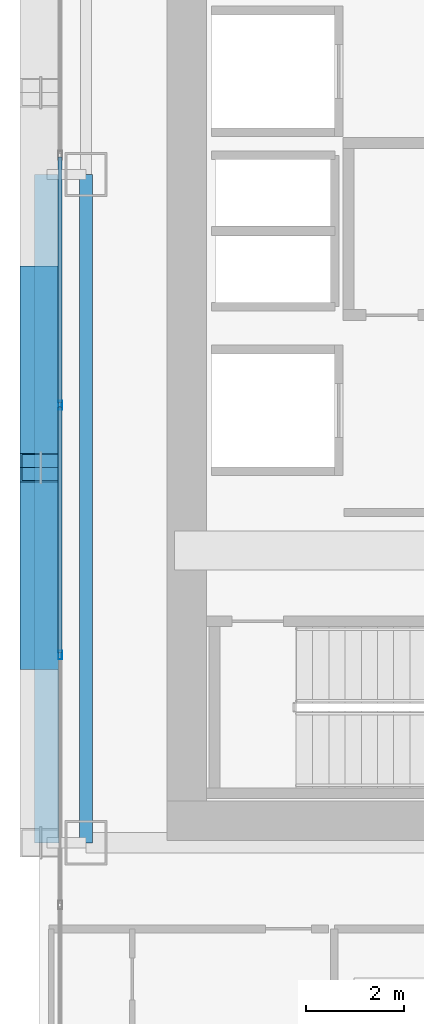
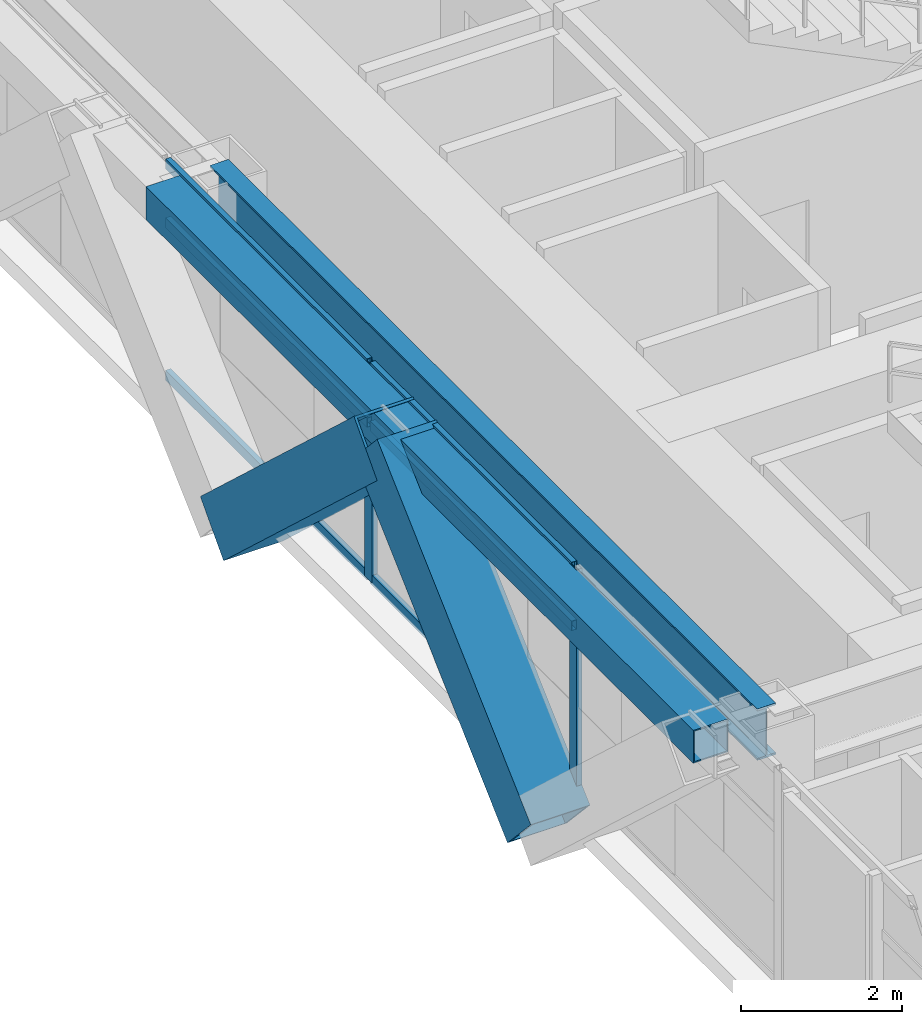
# One storey, part 6 of 35: 10 members, 2 beams, 1 element without a shape of its own.
"""IFC4 building model written with IfcOpenShell, lengths in metres."""

from ifc_helpers import new_model, si_unit, direction, frame, origin, origin_2d, place, context, subcontext, project, spatial, hollow_rectangle, i_section, extrude, source, transform, mapped, material, layer, layer_set, material_profile, profile_set, type_object, element, aggregate, save


model = new_model("IFC4")

# Units and contexts
model_context = context("Model", 3, precision=1e-05, world=origin(), true_north=direction((0.0, 1.0)))
body_context = subcontext(model_context, "Body", "Model", "MODEL_VIEW")
ifc_project = project(units=[si_unit("LENGTHUNIT", "METRE"), si_unit("AREAUNIT", "SQUARE_METRE"), si_unit("VOLUMEUNIT", "CUBIC_METRE"), si_unit("PLANEANGLEUNIT", "RADIAN"), si_unit("MASSUNIT", "GRAM", prefix="KILO")], contexts=[model_context])

# Site, building, storey
site_placement = place(None, origin())
site = spatial("IfcSite", under=ifc_project, at=site_placement, CompositionType="ELEMENT")
building_placement = place(site_placement, origin())
building = spatial("IfcBuilding", under=site, at=building_placement, Name="Ocotamira Hotel", CompositionType="ELEMENT")
storey_placement = place(building_placement, frame((0.0, 0.0, 81.60009765625)))
storey = spatial("IfcBuildingStorey", under=building, at=storey_placement, Name="L20", CompositionType="ELEMENT", Elevation=81.60009765625)

# Beams
ifc_material_1 = material(Name="Steel ASTM A992 Grade 50", Category="steel")
ifc_material_profile_1 = material_profile(ifc_material_1, i_section(OverallWidth=0.26611328125, OverallDepth=0.779052734375, WebThickness=0.0166015625, FlangeThickness=0.030029296875, FilletRadius=0.01806640625, at=origin_2d()), Name="W30X148")
ifc_profile_set_1 = profile_set([ifc_material_profile_1], Name="Steel ASTM A992 Grade 50")
beam_type_1 = type_object("IfcBeamType", Name="BM-GIRD-W30X148", PredefinedType="BEAM", material=ifc_profile_set_1)
shared_shape_1 = source(origin(), body_context, "Body", "SweptSolid", [
    extrude(i_section(OverallWidth=0.26611328125, OverallDepth=0.779052734375, WebThickness=0.0166015625, FlangeThickness=0.030029296875, FilletRadius=0.01806640625, at=origin_2d()), origin(), (0.0, 0.0, 1.0), 13.599853515625),
])
beam_1_placement = place(storey_placement, frame((8.949951171875, 14.550048828125, 2.890380859375), z_axis=(0.0, 1.0, 0.0), x_axis=(-1.0, 0.0, 0.0)))
element("IfcBeam", 1, at=beam_1_placement, inside=storey, type_object=beam_type_1, Name="L20 Beam X8.95 Y14.55-28.15", PredefinedType="BEAM", context=body_context, shape_type="MappedRepresentation", body=[
    mapped(shared_shape_1, transform((0.0, 0.0, 0.0), scale=1.0)),
])
ifc_material_2 = material(Name="Steel ASTM A500 Grade C", Category="steel")
ifc_material_profile_2 = material_profile(ifc_material_2, hollow_rectangle(XDim=0.5, YDim=0.5, WallThickness=0.02001953125, at=origin_2d()), Name="HSS500X500X20")
ifc_profile_set_2 = profile_set([ifc_material_profile_2], Name="Steel ASTM A500 Grade C")
beam_type_2 = type_object("IfcBeamType", Name="BM-SPAN-HSS500", PredefinedType="USERDEFINED", material=ifc_profile_set_2)
shared_shape_2 = source(origin(), body_context, "Body", "SweptSolid", [
    extrude(hollow_rectangle(XDim=0.5, YDim=0.5, WallThickness=0.02001953125, at=origin_2d()), origin(), (0.0, 0.0, 1.0), 13.599853515625),
])
beam_2_placement = place(storey_placement, frame((8.14990234375, 14.550048828125, 3.02978515625), z_axis=(0.0, 1.0, 0.0), x_axis=(-1.0, 0.0, 0.0)))
element("IfcBeam", 2, at=beam_2_placement, inside=storey, type_object=beam_type_2, Name="L20 Edge Spandrel W Y14.55-28.15", ObjectType="SPANDREL", PredefinedType="USERDEFINED", context=body_context, shape_type="MappedRepresentation", body=[
    mapped(shared_shape_2, transform((0.0, 0.0, 0.0), scale=1.0)),
])

# Members
ifc_material_3 = material(Name="Pale-metal coated steel ASTM A913 Grade 65", Category="steel")
ifc_material_profile_3 = material_profile(ifc_material_3, hollow_rectangle(XDim=0.85009765625, YDim=0.85009765625, WallThickness=0.035888671875, at=origin_2d()), Name="BOX850X850X36")
ifc_profile_set_3 = profile_set([ifc_material_profile_3], Name="Pale-metal coated steel ASTM A913 Grade 65")
member_type_1 = type_object("IfcMemberType", Name="MEM-EXO-BOX850", PredefinedType="BRACE", material=ifc_profile_set_3)
shared_shape_3 = source(origin(), body_context, "Body", "SweptSolid", [
    extrude(hollow_rectangle(XDim=0.85009765625, YDim=0.85009765625, WallThickness=0.035888671875, at=origin_2d()), origin(), (0.0, 0.0, 1.0), 5.19873046875),
])
for number, where, z_axis, x_axis, name in (
    (3, (8.030029296875, 18.36669921875, -0.5), (0.0, 0.734158546733, 0.67897807642), (-1.0, 0.0, 0.0), "L20 Exoskeleton Diagrid W0.2"),
    (4, (8.030029296875, 26.0, -0.5), (0.0, -0.734158546733, 0.67897807642), (1.0, 0.0, 0.0), "L20 Exoskeleton Diagrid W1.1"),
):
    element("IfcMember", number, at=place(storey_placement, frame(where, z_axis=z_axis, x_axis=x_axis)), inside=storey, type_object=member_type_1, Name=name, PredefinedType="BRACE", context=body_context, shape_type="MappedRepresentation", body=[
        mapped(shared_shape_3, transform((0.0, 0.0, 0.0), scale=1.0)),
    ])

# Curtain wall, members
ifc_material_4 = material(Name="Anodised pale-metal aluminium and solar glass", Category="aluminium")
ifc_layer = layer(ifc_material_4, 0.179931640625)
ifc_layer_set = layer_set([ifc_layer], Name="Anodised pale-metal aluminium and solar glass")
curtain_wall_type = type_object("IfcCurtainWallType", Name="CW-SYS2-Z1", PredefinedType="NOTDEFINED", material=ifc_layer_set)
curtain_wall_placement = place(storey_placement, origin())
curtain_wall = element("IfcCurtainWall", 5, at=curtain_wall_placement, inside=storey, type_object=curtain_wall_type, Name="L20 Curtain Wall CW-2 CW-L20-W", PredefinedType="NOTDEFINED")
ifc_material_5 = material(Name="Anodised pale-metal aluminium 6063-T6", Category="aluminium")
ifc_material_profile_4 = material_profile(ifc_material_5, hollow_rectangle(XDim=0.074951171875, YDim=0.14990234375, WallThickness=0.006103515625, at=origin_2d()), Name="HSS150X75X6")
ifc_profile_set_4 = profile_set([ifc_material_profile_4], Name="Anodised pale-metal aluminium 6063-T6")
member_type_2 = type_object("IfcMemberType", Name="CWT-150X75", PredefinedType="USERDEFINED", material=ifc_profile_set_4)
shared_shape_4 = source(origin(), body_context, "Body", "SweptSolid", [
    extrude(hollow_rectangle(XDim=0.074951171875, YDim=0.14990234375, WallThickness=0.006103515625, at=origin_2d()), origin(), (0.0, 0.0, 1.0), 5.005859375),
])
member_1_placement = place(storey_placement, frame((8.419921875, 18.411376953125, 0.037353515625), z_axis=(0.0, 1.0, 0.0), x_axis=(-1.0, 0.0, 0.0)))
member_1 = element("IfcMember", 6, at=member_1_placement, type_object=member_type_2, Name="CW-2 transom 3.1", ObjectType="TRANSOM", PredefinedType="USERDEFINED", context=body_context, shape_type="MappedRepresentation", body=[
    mapped(shared_shape_4, transform((0.0, 0.0, 0.0), scale=1.0)),
])
member_2_placement = place(storey_placement, frame((8.419921875, 18.411376953125, 2.349853515625), z_axis=(0.0, 1.0, 0.0), x_axis=(-1.0, 0.0, 0.0)))
member_2 = element("IfcMember", 7, at=member_2_placement, type_object=member_type_2, Name="CW-2 transom 3.2", ObjectType="TRANSOM", PredefinedType="USERDEFINED", context=body_context, shape_type="MappedRepresentation", body=[
    mapped(shared_shape_4, transform((0.0, 0.0, 0.0), scale=1.0)),
])
member_3_placement = place(storey_placement, frame((8.419921875, 18.411376953125, 3.242431640625), z_axis=(0.0, 1.0, 0.0), x_axis=(-1.0, 0.0, 0.0)))
member_3 = element("IfcMember", 8, at=member_3_placement, type_object=member_type_2, Name="CW-2 transom 3.3", ObjectType="TRANSOM", PredefinedType="USERDEFINED", context=body_context, shape_type="MappedRepresentation", body=[
    mapped(shared_shape_4, transform((0.0, 0.0, 0.0), scale=1.0)),
])
member_4_placement = place(storey_placement, frame((8.419921875, 23.4970703125, 0.037353515625), z_axis=(0.0, 1.0, 0.0), x_axis=(-1.0, 0.0, 0.0)))
member_4 = element("IfcMember", 9, at=member_4_placement, type_object=member_type_2, Name="CW-2 transom 4.1", ObjectType="TRANSOM", PredefinedType="USERDEFINED", context=body_context, shape_type="MappedRepresentation", body=[
    mapped(shared_shape_4, transform((0.0, 0.0, 0.0), scale=1.0)),
])
member_5_placement = place(storey_placement, frame((8.419921875, 23.4970703125, 2.349853515625), z_axis=(0.0, 1.0, 0.0), x_axis=(-1.0, 0.0, 0.0)))
member_5 = element("IfcMember", 10, at=member_5_placement, type_object=member_type_2, Name="CW-2 transom 4.2", ObjectType="TRANSOM", PredefinedType="USERDEFINED", context=body_context, shape_type="MappedRepresentation", body=[
    mapped(shared_shape_4, transform((0.0, 0.0, 0.0), scale=1.0)),
])
member_6_placement = place(storey_placement, frame((8.419921875, 23.4970703125, 3.242431640625), z_axis=(0.0, 1.0, 0.0), x_axis=(-1.0, 0.0, 0.0)))
member_6 = element("IfcMember", 11, at=member_6_placement, type_object=member_type_2, Name="CW-2 transom 4.3", ObjectType="TRANSOM", PredefinedType="USERDEFINED", context=body_context, shape_type="MappedRepresentation", body=[
    mapped(shared_shape_4, transform((0.0, 0.0, 0.0), scale=1.0)),
])
ifc_material_profile_5 = material_profile(ifc_material_5, hollow_rectangle(XDim=0.080078125, YDim=0.179931640625, WallThickness=0.006103515625, at=origin_2d()), Name="HSS180X80X6")
ifc_profile_set_5 = profile_set([ifc_material_profile_5], Name="Anodised pale-metal aluminium 6063-T6")
member_type_3 = type_object("IfcMemberType", Name="CWM-180X75", PredefinedType="MULLION", material=ifc_profile_set_5)
shared_shape_5 = source(origin(), body_context, "Body", "SweptSolid", [
    extrude(hollow_rectangle(XDim=0.080078125, YDim=0.179931640625, WallThickness=0.006103515625, at=origin_2d()), origin(), (0.0, 0.0, 1.0), 3.27978515625),
])
member_7_placement = place(storey_placement, frame((8.419921875, 18.371337890625, 0.0), z_axis=(0.0, 0.0, 1.0), x_axis=(-1.0, 0.0, 0.0)))
member_7 = element("IfcMember", 12, at=member_7_placement, type_object=member_type_3, Name="CW-2 mullion 3", PredefinedType="MULLION", context=body_context, shape_type="MappedRepresentation", body=[
    mapped(shared_shape_5, transform((0.0, 0.0, 0.0), scale=1.0)),
])
member_8_placement = place(storey_placement, frame((8.419921875, 23.45703125, 0.0), z_axis=(0.0, 0.0, 1.0), x_axis=(-1.0, 0.0, 0.0)))
member_8 = element("IfcMember", 13, at=member_8_placement, type_object=member_type_3, Name="CW-2 mullion 4", PredefinedType="MULLION", context=body_context, shape_type="MappedRepresentation", body=[
    mapped(shared_shape_5, transform((0.0, 0.0, 0.0), scale=1.0)),
])
aggregate(curtain_wall, [member_7, member_8, member_1, member_2, member_3, member_4, member_5, member_6])

save(model, "model.ifc")
